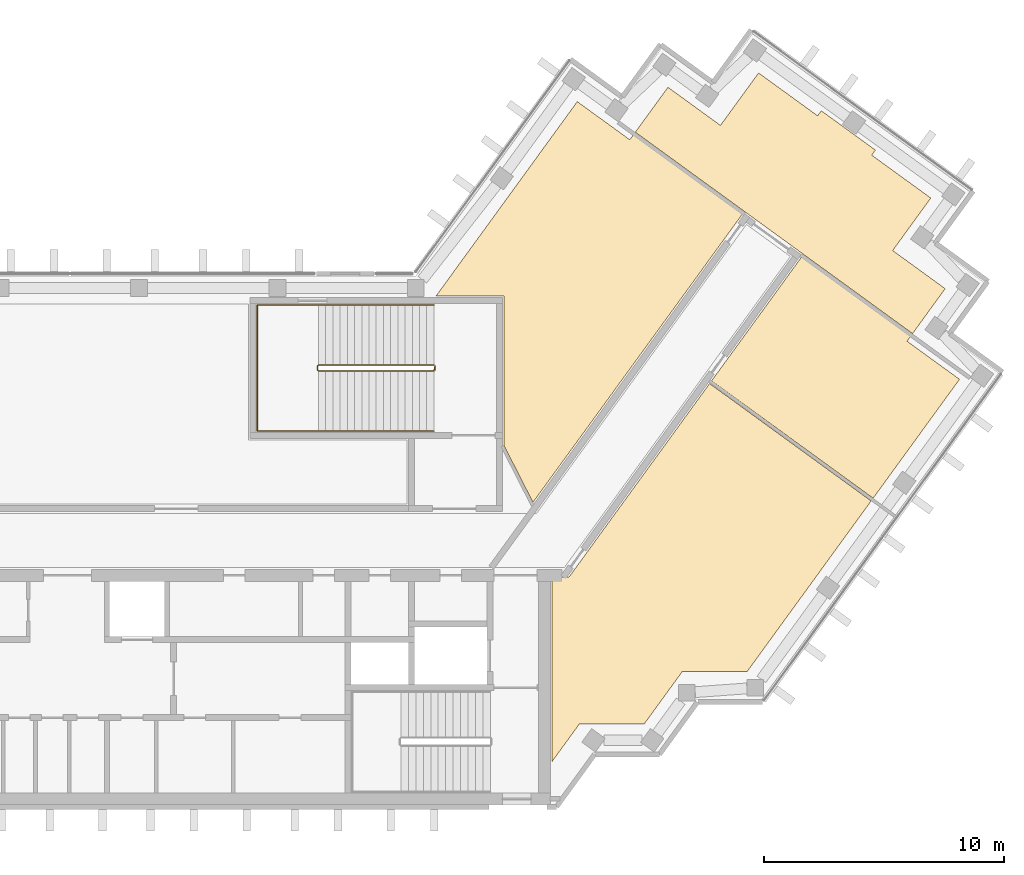
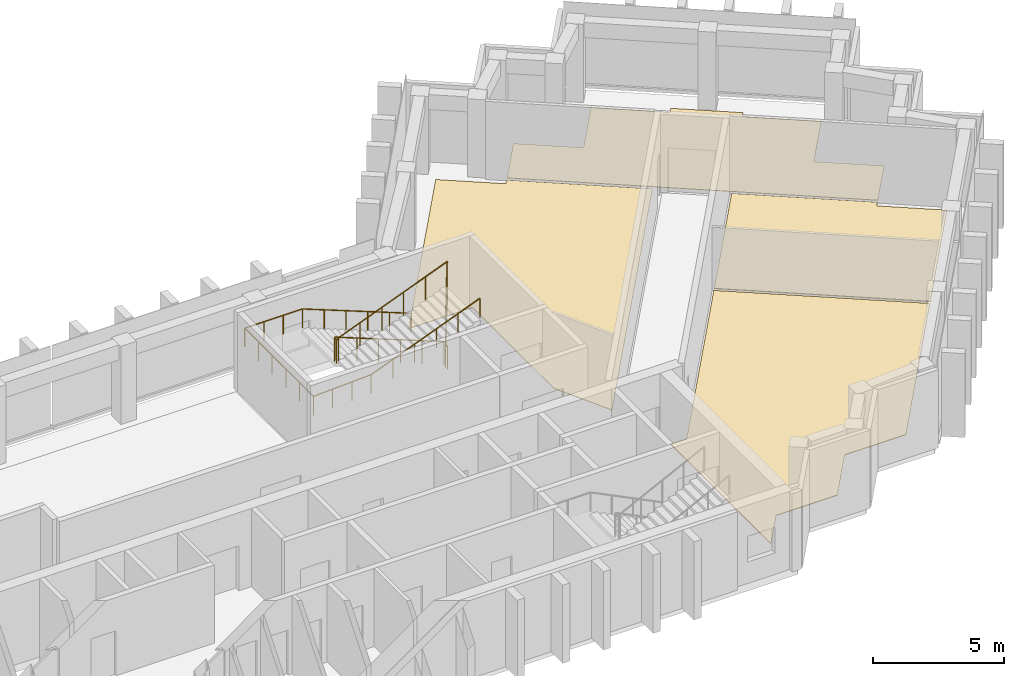
# One storey, part 8 of 8: 4 coverings, 2 railings.
"""IFC4 building model written with IfcOpenShell, lengths in metres."""

from ifc_helpers import new_model, si_unit, direction, frame, origin, origin_2d, place, context, subcontext, project, spatial, polyline, circle, outline, extrude, material, layer, layer_set, type_object, element, save


model = new_model("IFC4")

# Units and contexts
model_context = context("Model", 3, precision=1e-05, world=origin(), true_north=direction((0.0, 1.0)))
body_context = subcontext(model_context, "Body", "Model", "MODEL_VIEW")
ifc_project = project(units=[si_unit("LENGTHUNIT", "METRE"), si_unit("AREAUNIT", "SQUARE_METRE"), si_unit("VOLUMEUNIT", "CUBIC_METRE"), si_unit("PLANEANGLEUNIT", "RADIAN"), si_unit("MASSUNIT", "GRAM", prefix="KILO")], contexts=[model_context])

# Site, building, storey
site_placement = place(None, origin())
site = spatial("IfcSite", under=ifc_project, at=site_placement, CompositionType="ELEMENT")
building_placement = place(site_placement, origin())
building = spatial("IfcBuilding", under=site, at=building_placement, Name="Quipu Civic Tower", CompositionType="ELEMENT")
storey_placement = place(building_placement, frame((0.0, 0.0, 281.0)))
storey = spatial("IfcBuildingStorey", under=building, at=storey_placement, Name="L65", CompositionType="ELEMENT", Elevation=281.0)

# Coverings
ifc_material_1 = material(Name="Carpet tile on raised access floor")
ifc_layer_1 = layer(ifc_material_1, 0.02001953125)
ifc_layer_set_1 = layer_set([ifc_layer_1], Name="Carpet tile on raised access floor")
covering_type_1 = type_object("IfcCoveringType", Name="Carpet tile floor finish 20", PredefinedType="FLOORING", material=ifc_layer_set_1)
covering_1_placement = place(storey_placement, origin())
element("IfcCovering", 1, at=covering_1_placement, inside=storey, type_object=covering_type_1, Name="Carpet tile floor finish 20", PredefinedType="FLOORING", context=body_context, shape_type="SweptSolid", body=[
    extrude(outline(polyline([(15.238037109375, 10.169921875), (21.115966796875, 18.260986328125), (23.299072265625, 16.676025390625), (23.447998046875, 16.876953125), (27.987060546875, 13.5791015625), (19.27197265625, 1.583984375), (18.070068359375, 3.94189453125), (18.070068359375, 10.1689453125), (15.238037109375, 10.169921875)])), origin(), (0.0, 0.0, 1.0), 0.02001953125),
])
covering_2_placement = place(storey_placement, origin())
element("IfcCovering", 2, at=covering_2_placement, inside=storey, type_object=covering_type_1, Name="Carpet tile floor finish 20", PredefinedType="FLOORING", context=body_context, shape_type="SweptSolid", body=[
    extrude(outline(polyline([(23.531005859375, 16.989013671875), (24.888916015625, 18.85791015625), (27.073974609375, 17.27197265625), (28.658935546875, 19.455078125), (31.116943359375, 17.6708984375), (31.27099609375, 17.8798828125), (33.52197265625, 16.2451171875), (33.3701171875, 16.032958984375), (35.826904296875, 14.248046875), (34.240966796875, 12.06396484375), (36.425048828125, 10.47705078125), (35.068115234375, 8.60791015625), (23.531005859375, 16.989013671875)])), origin(), (0.0, 0.0, 1.0), 0.02001953125),
])
ifc_material_2 = material(Name="Ceramic floor tile")
ifc_layer_2 = layer(ifc_material_2, 0.030029296875)
ifc_layer_set_2 = layer_set([ifc_layer_2], Name="Ceramic floor tile")
covering_type_2 = type_object("IfcCoveringType", Name="Ceramic tile floor finish 30", PredefinedType="FLOORING", material=ifc_layer_set_2)
covering_3_placement = place(storey_placement, origin())
element("IfcCovering", 3, at=covering_3_placement, inside=storey, type_object=covering_type_2, Name="Ceramic tile floor finish 30", PredefinedType="FLOORING", context=body_context, shape_type="SweptSolid", body=[
    extrude(outline(polyline([(26.705078125, 6.64208984375), (30.446044921875, 11.7919921875), (34.985107421875, 8.493896484375), (34.839111328125, 8.291015625), (37.02197265625, 6.7060546875), (33.427978515625, 1.758056640625), (26.705078125, 6.64208984375)])), origin(), (0.0, 0.0, 1.0), 0.030029296875),
])
covering_4_placement = place(storey_placement, origin())
element("IfcCovering", 4, at=covering_4_placement, inside=storey, type_object=covering_type_2, Name="Ceramic tile floor finish 30", PredefinedType="FLOORING", context=body_context, shape_type="SweptSolid", body=[
    extrude(outline(polyline([(20.070068359375, -9.195068359375), (20.070068359375, -1.52001953125), (20.77490234375, -1.51904296875), (26.6220703125, 6.529052734375), (33.344970703125, 1.64501953125), (28.181884765625, -5.4609375), (25.48193359375, -5.4619140625), (23.89501953125, -7.64599609375), (21.196044921875, -7.64599609375), (20.070068359375, -9.195068359375)])), origin(), (0.0, 0.0, 1.0), 0.030029296875),
])

# Railings
ifc_material_3 = material(Name="Stainless steel", Category="steel")
railing_type_1 = type_object("IfcRailingType", Name="Stair guard 1100", PredefinedType="GUARDRAIL", material=ifc_material_3)
railing_1_placement = place(storey_placement, frame((15.14990234375, 7.300048828125, 0.11767578125)))
element("IfcRailing", 5, at=railing_1_placement, inside=storey, type_object=railing_type_1, Name="Stair 4 guard", PredefinedType="GUARDRAIL", context=body_context, shape_type="SweptSolid", body=[
    extrude(circle(Radius=0.02392578125, at=origin_2d()), frame((0.0, 0.0, 1.076171875), z_axis=(-0.930970042603, 0.0, 0.365095576219), x_axis=(0.0, -1.0, 0.0)), (0.0, 0.0, 1.0), 5.15576171875),
    extrude(circle(Radius=0.02392578125, at=origin_2d()), frame((-4.7998046875, 0.0, 2.95849609375), z_axis=(-0.707106781187, -0.707106781187, 0.0), x_axis=(0.707106781187, -0.707106781187, 0.0)), (0.0, 0.0, 1.0), 0.07080078125),
    extrude(circle(Radius=0.02392578125, at=origin_2d()), frame((-4.849853515625, -0.050048828125, 2.95849609375), z_axis=(0.0, -1.0, 0.0), x_axis=(1.0, 0.0, 0.0)), (0.0, 0.0, 1.0), 0.14990234375),
    extrude(circle(Radius=0.02392578125, at=origin_2d()), frame((-4.849853515625, -0.199951171875, 2.95849609375), z_axis=(0.364463019033, -0.364463019033, 0.856932561824), x_axis=(0.707106781187, 0.707106781187, 0.0)), (0.0, 0.0, 1.0), 0.13720703125),
    extrude(circle(Radius=0.02392578125, at=origin_2d()), frame((-4.7998046875, -0.25, 3.076171875), z_axis=(0.930970042603, 0.0, 0.365095576219), x_axis=(0.0, 1.0, 0.0)), (0.0, 0.0, 1.0), 5.15576171875),
    extrude(circle(Radius=0.02392578125, at=origin_2d()), frame((0.0, -0.25, 4.95849609375), z_axis=(0.012495627992, 0.049921557685, -0.998674970829), x_axis=(-0.970072785993, 0.242814311512, 0.0)), (0.0, 0.0, 1.0), 4.00537109375),
    extrude(circle(Radius=0.02392578125, at=origin_2d()), frame((0.050048828125, -0.050048828125, 0.95849609375), z_axis=(0.0, -1.0, 0.0), x_axis=(1.0, 0.0, 0.0)), (0.0, 0.0, 1.0), 0.14990234375),
    extrude(circle(Radius=0.02099609375, at=origin_2d()), origin(), (0.0, 0.0, 1.0), 1.052001953125),
    extrude(circle(Radius=0.02099609375, at=origin_2d()), frame((-0.9599609375, 0.0, 0.37646484375)), (0.0, 0.0, 1.0), 1.052001953125),
    extrude(circle(Radius=0.02099609375, at=origin_2d()), frame((-1.919921875, 0.0, 0.7529296875)), (0.0, 0.0, 1.0), 1.052001953125),
    extrude(circle(Radius=0.02099609375, at=origin_2d()), frame((-2.8798828125, 0.0, 1.12939453125)), (0.0, 0.0, 1.0), 1.052001953125),
    extrude(circle(Radius=0.02099609375, at=origin_2d()), frame((-3.83984375, 0.0, 1.505859375)), (0.0, 0.0, 1.0), 1.052001953125),
    extrude(circle(Radius=0.02099609375, at=origin_2d()), frame((-4.7998046875, 0.0, 1.88232421875)), (0.0, 0.0, 1.0), 1.052001953125),
    extrude(circle(Radius=0.02099609375, at=origin_2d()), frame((-4.849853515625, -0.050048828125, 1.88232421875)), (0.0, 0.0, 1.0), 1.052001953125),
    extrude(circle(Radius=0.02099609375, at=origin_2d()), frame((-4.849853515625, -0.199951171875, 1.88232421875)), (0.0, 0.0, 1.0), 1.052001953125),
    extrude(circle(Radius=0.02099609375, at=origin_2d()), frame((-4.7998046875, -0.25, 2.0)), (0.0, 0.0, 1.0), 1.052001953125),
    extrude(circle(Radius=0.02099609375, at=origin_2d()), frame((-3.83984375, -0.25, 2.37646484375)), (0.0, 0.0, 1.0), 1.052001953125),
    extrude(circle(Radius=0.02099609375, at=origin_2d()), frame((-2.8798828125, -0.25, 2.7529296875)), (0.0, 0.0, 1.0), 1.052001953125),
    extrude(circle(Radius=0.02099609375, at=origin_2d()), frame((-1.919921875, -0.25, 3.12939453125)), (0.0, 0.0, 1.0), 1.052001953125),
    extrude(circle(Radius=0.02099609375, at=origin_2d()), frame((-0.9599609375, -0.25, 3.505859375)), (0.0, 0.0, 1.0), 1.052001953125),
    extrude(circle(Radius=0.02099609375, at=origin_2d()), frame((0.0, -0.25, 3.88232421875)), (0.0, 0.0, 1.0), 1.052001953125),
    extrude(circle(Radius=0.02099609375, at=origin_2d()), frame((0.012451171875, -0.199951171875, 2.88232421875)), (0.0, 0.0, 1.0), 1.052001953125),
    extrude(circle(Radius=0.02099609375, at=origin_2d()), frame((0.02490234375, -0.14990234375, 1.88232421875)), (0.0, 0.0, 1.0), 1.052001953125),
    extrude(circle(Radius=0.02099609375, at=origin_2d()), frame((0.03759765625, -0.10009765625, 0.88232421875)), (0.0, 0.0, 1.0), 1.052001953125),
    extrude(circle(Radius=0.02099609375, at=origin_2d()), frame((0.050048828125, -0.050048828125, -0.11767578125)), (0.0, 0.0, 1.0), 1.052001953125),
    extrude(circle(Radius=0.02099609375, at=origin_2d()), frame((0.050048828125, -0.199951171875, -0.11767578125)), (0.0, 0.0, 1.0), 1.052001953125),
])
ifc_material_4 = material(Name="Stainless steel", Category="steel")
railing_type_2 = type_object("IfcRailingType", Name="Stair handrail", PredefinedType="HANDRAIL", material=ifc_material_4)
railing_2_placement = place(storey_placement, frame((15.14990234375, 9.800048828125, 0.11767578125)))
element("IfcRailing", 6, at=railing_2_placement, inside=storey, type_object=railing_type_2, Name="Stair 4 handrail", PredefinedType="HANDRAIL", context=body_context, shape_type="SweptSolid", body=[
    extrude(circle(Radius=0.02392578125, at=origin_2d()), frame((0.0, 0.0, 0.8759765625), z_axis=(-0.930970042603, 0.0, 0.365095576219), x_axis=(0.0, -1.0, 0.0)), (0.0, 0.0, 1.0), 5.15576171875),
    extrude(circle(Radius=0.02392578125, at=origin_2d()), frame((-4.7998046875, 0.0, 2.75830078125), z_axis=(-1.0, 0.0, 0.0), x_axis=(0.0, -1.0, 0.0)), (0.0, 0.0, 1.0), 2.550048828125),
    extrude(circle(Radius=0.02392578125, at=origin_2d()), frame((-7.349853515625, 0.0, 2.75830078125), z_axis=(0.0, -1.0, 0.0), x_axis=(1.0, 0.0, 0.0)), (0.0, 0.0, 1.0), 5.25),
    extrude(circle(Radius=0.02392578125, at=origin_2d()), frame((-7.349853515625, -5.25, 2.75830078125), z_axis=(0.998936948642, 0.0, 0.04609742549), x_axis=(0.0, 1.0, 0.0)), (0.0, 0.0, 1.0), 2.552734375),
    extrude(circle(Radius=0.02392578125, at=origin_2d()), frame((-4.7998046875, -5.25, 2.8759765625), z_axis=(0.930970042603, 0.0, 0.365095576219), x_axis=(0.0, 1.0, 0.0)), (0.0, 0.0, 1.0), 5.15576171875),
    extrude(circle(Radius=0.02099609375, at=origin_2d()), origin(), (0.0, 0.0, 1.0), 0.851806640625),
    extrude(circle(Radius=0.02099609375, at=origin_2d()), frame((-0.9599609375, 0.0, 0.37646484375)), (0.0, 0.0, 1.0), 0.851806640625),
    extrude(circle(Radius=0.02099609375, at=origin_2d()), frame((-1.919921875, 0.0, 0.7529296875)), (0.0, 0.0, 1.0), 0.851806640625),
    extrude(circle(Radius=0.02099609375, at=origin_2d()), frame((-2.8798828125, 0.0, 1.12939453125)), (0.0, 0.0, 1.0), 0.851806640625),
    extrude(circle(Radius=0.02099609375, at=origin_2d()), frame((-3.83984375, 0.0, 1.505859375)), (0.0, 0.0, 1.0), 0.851806640625),
    extrude(circle(Radius=0.02099609375, at=origin_2d()), frame((-4.7998046875, 0.0, 1.88232421875)), (0.0, 0.0, 1.0), 0.851806640625),
    extrude(circle(Radius=0.02099609375, at=origin_2d()), frame((-5.64990234375, 0.0, 1.88232421875)), (0.0, 0.0, 1.0), 0.851806640625),
    extrude(circle(Radius=0.02099609375, at=origin_2d()), frame((-6.499755859375, 0.0, 1.88232421875)), (0.0, 0.0, 1.0), 0.851806640625),
    extrude(circle(Radius=0.02099609375, at=origin_2d()), frame((-7.349853515625, 0.0, 1.88232421875)), (0.0, 0.0, 1.0), 0.851806640625),
    extrude(circle(Radius=0.02099609375, at=origin_2d()), frame((-7.349853515625, -1.050048828125, 1.88232421875)), (0.0, 0.0, 1.0), 0.851806640625),
    extrude(circle(Radius=0.02099609375, at=origin_2d()), frame((-7.349853515625, -2.10009765625, 1.88232421875)), (0.0, 0.0, 1.0), 0.851806640625),
    extrude(circle(Radius=0.02099609375, at=origin_2d()), frame((-7.349853515625, -3.14990234375, 1.88232421875)), (0.0, 0.0, 1.0), 0.851806640625),
    extrude(circle(Radius=0.02099609375, at=origin_2d()), frame((-7.349853515625, -4.199951171875, 1.88232421875)), (0.0, 0.0, 1.0), 0.851806640625),
    extrude(circle(Radius=0.02099609375, at=origin_2d()), frame((-7.349853515625, -5.25, 1.88232421875)), (0.0, 0.0, 1.0), 0.851806640625),
    extrude(circle(Radius=0.02099609375, at=origin_2d()), frame((-6.499755859375, -5.25, 1.921630859375)), (0.0, 0.0, 1.0), 0.851806640625),
    extrude(circle(Radius=0.02099609375, at=origin_2d()), frame((-5.64990234375, -5.25, 1.960693359375)), (0.0, 0.0, 1.0), 0.851806640625),
    extrude(circle(Radius=0.02099609375, at=origin_2d()), frame((-4.7998046875, -5.25, 2.0)), (0.0, 0.0, 1.0), 0.851806640625),
    extrude(circle(Radius=0.02099609375, at=origin_2d()), frame((-3.83984375, -5.25, 2.37646484375)), (0.0, 0.0, 1.0), 0.851806640625),
    extrude(circle(Radius=0.02099609375, at=origin_2d()), frame((-2.8798828125, -5.25, 2.7529296875)), (0.0, 0.0, 1.0), 0.851806640625),
    extrude(circle(Radius=0.02099609375, at=origin_2d()), frame((-1.919921875, -5.25, 3.12939453125)), (0.0, 0.0, 1.0), 0.851806640625),
    extrude(circle(Radius=0.02099609375, at=origin_2d()), frame((-0.9599609375, -5.25, 3.505859375)), (0.0, 0.0, 1.0), 0.851806640625),
    extrude(circle(Radius=0.02099609375, at=origin_2d()), frame((0.0, -5.25, 3.88232421875)), (0.0, 0.0, 1.0), 0.851806640625),
])

save(model, "model.ifc")
